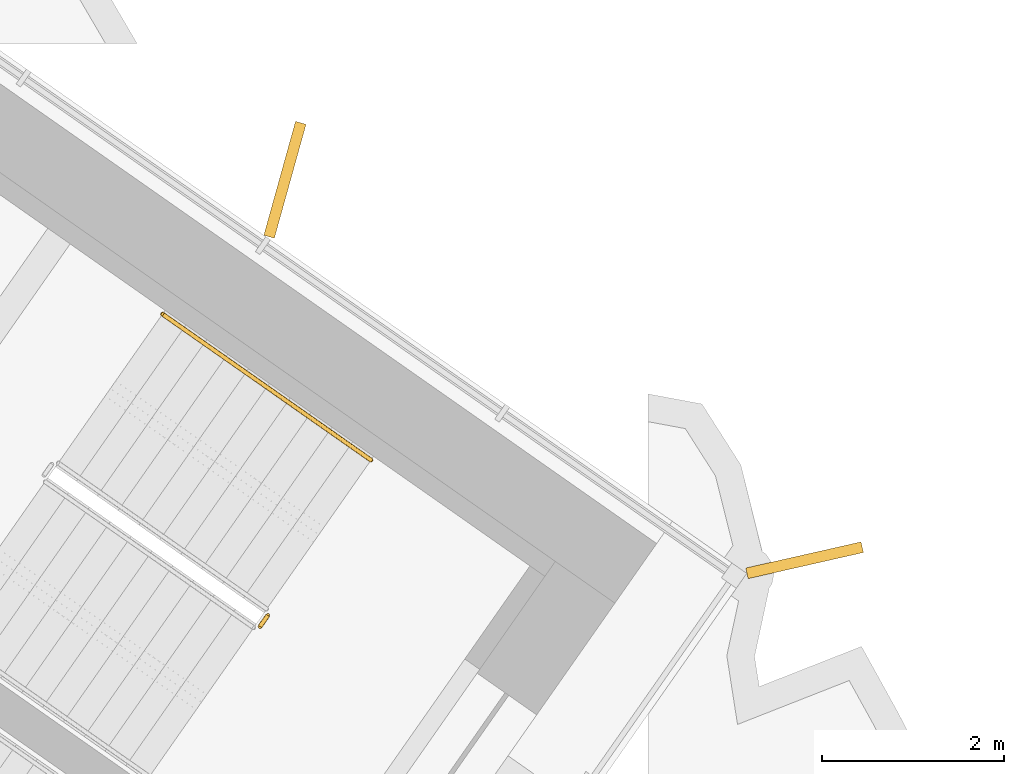
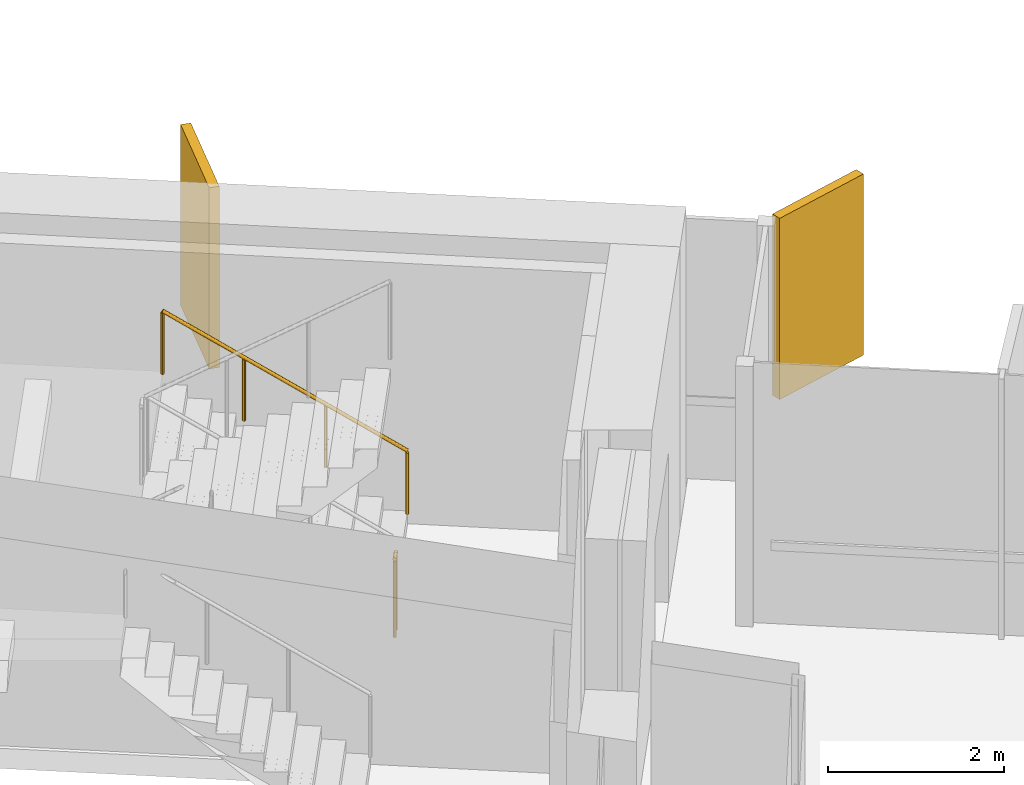
# One storey, part 22 of 22: 2 railings, 2 shading devices.
"""IFC4 building model written with IfcOpenShell, lengths in metres."""

from ifc_helpers import new_model, si_unit, direction, frame, origin, origin_2d, place, context, subcontext, project, spatial, rectangle, circle, extrude, material, layer, layer_set, type_object, element, save


model = new_model("IFC4")

# Units and contexts
model_context = context("Model", 3, precision=1e-05, world=origin(), true_north=direction((0.0, 1.0)))
body_context = subcontext(model_context, "Body", "Model", "MODEL_VIEW")
ifc_project = project(units=[si_unit("LENGTHUNIT", "METRE"), si_unit("AREAUNIT", "SQUARE_METRE"), si_unit("VOLUMEUNIT", "CUBIC_METRE"), si_unit("PLANEANGLEUNIT", "RADIAN"), si_unit("MASSUNIT", "GRAM", prefix="KILO")], contexts=[model_context])

# Site, building, storey
site_placement = place(None, origin())
site = spatial("IfcSite", under=ifc_project, at=site_placement, CompositionType="ELEMENT")
building_placement = place(site_placement, origin())
building = spatial("IfcBuilding", under=site, at=building_placement, Name="Tel Ilan Convention Tower", CompositionType="ELEMENT")
storey_placement = place(building_placement, frame((0.0, 0.0, 135.89990234375)))
storey = spatial("IfcBuildingStorey", under=building, at=storey_placement, Name="L30", CompositionType="ELEMENT", Elevation=135.89990234375)

# Shading devices
ifc_material_1 = material(Name="Aluminium, bronze anodised", Category="aluminium")
ifc_layer = layer(ifc_material_1, 0.1201171875)
ifc_layer_set = layer_set([ifc_layer], Name="FIN BRONZE 1300x120")
shading_device_type = type_object("IfcShadingDeviceType", Name="FIN BRONZE 1300x120", PredefinedType="USERDEFINED", material=ifc_layer_set)
for number, where, z_axis, x_axis, name in (
    (1, (29.594970703125, -7.31494140625, 1.10009765625), (0.0, 0.0, 1.0), (0.975235208752, 0.221170268371, 0.0), "FIN"),
    (2, (23.879150390625, -3.130126953125, 1.10009765625), (0.0, 0.0, 1.0), (0.268172612768, 0.963370878614, 0.0), "FIN"),
):
    element("IfcShadingDevice", number, at=place(storey_placement, frame(where, z_axis=z_axis, x_axis=x_axis)), inside=storey, type_object=shading_device_type, Name=name, ObjectType="FIN", PredefinedType="USERDEFINED", context=body_context, shape_type="SweptSolid", body=[
        extrude(rectangle(XDim=1.300048828125, YDim=0.1201171875, at=origin_2d()), origin(), (0.0, 0.0, 1.0), 2.52001953125),
    ])

# Railings
ifc_material_2 = material(Name="Stainless Steel Grade 316", Category="steel")
railing_type_1 = type_object("IfcRailingType", Name="Stainless Steel Stair Guard 1100 mm", PredefinedType="GUARDRAIL", material=ifc_material_2)
railing_1_placement = place(storey_placement, frame((23.691162109375, -7.921142578125, 0.0)))
element("IfcRailing", 3, at=railing_1_placement, inside=storey, type_object=railing_type_1, Name="L30 S3 stair guard 4", PredefinedType="GUARDRAIL", context=body_context, shape_type="SweptSolid", body=[
    extrude(circle(Radius=0.02392578125, at=origin_2d()), frame((0.0, 0.0, 1.076171875), z_axis=(-0.574444878118, -0.818543268254, 0.0), x_axis=(0.818543268254, -0.574444878118, 0.0)), (0.0, 0.0, 1.0), 0.150146484375),
    extrude(circle(Radius=0.02099609375, at=origin_2d()), origin(), (0.0, 0.0, 1.0), 1.052001953125),
    extrude(circle(Radius=0.02099609375, at=origin_2d()), frame((-0.086181640625, -0.122802734375, 0.0)), (0.0, 0.0, 1.0), 1.052001953125),
])
ifc_material_3 = material(Name="Stainless Steel Grade 316", Category="steel")
railing_type_2 = type_object("IfcRailingType", Name="Stainless Steel Stair Handrail 900 mm", PredefinedType="HANDRAIL", material=ifc_material_3)
railing_2_placement = place(storey_placement, frame((24.825927734375, -6.213134765625, 0.177490234375)))
element("IfcRailing", 4, at=railing_2_placement, inside=storey, type_object=railing_type_2, Name="L30 S3 stair handrail 1", PredefinedType="HANDRAIL", context=body_context, shape_type="SweptSolid", body=[
    extrude(circle(Radius=0.02392578125, at=origin_2d()), frame((0.0, 0.0, 0.8759765625), z_axis=(-0.692123088272, 0.484596665743, 0.534912798717), x_axis=(-0.573550118428, -0.819170471667, 0.0)), (0.0, 0.0, 1.0), 3.31396484375),
    extrude(circle(Radius=0.02099609375, at=origin_2d()), origin(), (0.0, 0.0, 1.0), 0.851806640625),
    extrude(circle(Radius=0.02099609375, at=origin_2d()), frame((-0.7646484375, 0.535400390625, 0.5908203125)), (0.0, 0.0, 1.0), 0.851806640625),
    extrude(circle(Radius=0.02099609375, at=origin_2d()), frame((-1.529052734375, 1.070556640625, 1.181884765625)), (0.0, 0.0, 1.0), 0.851806640625),
    extrude(circle(Radius=0.02099609375, at=origin_2d()), frame((-2.293701171875, 1.60595703125, 1.772705078125)), (0.0, 0.0, 1.0), 0.851806640625),
])

save(model, "model.ifc")
